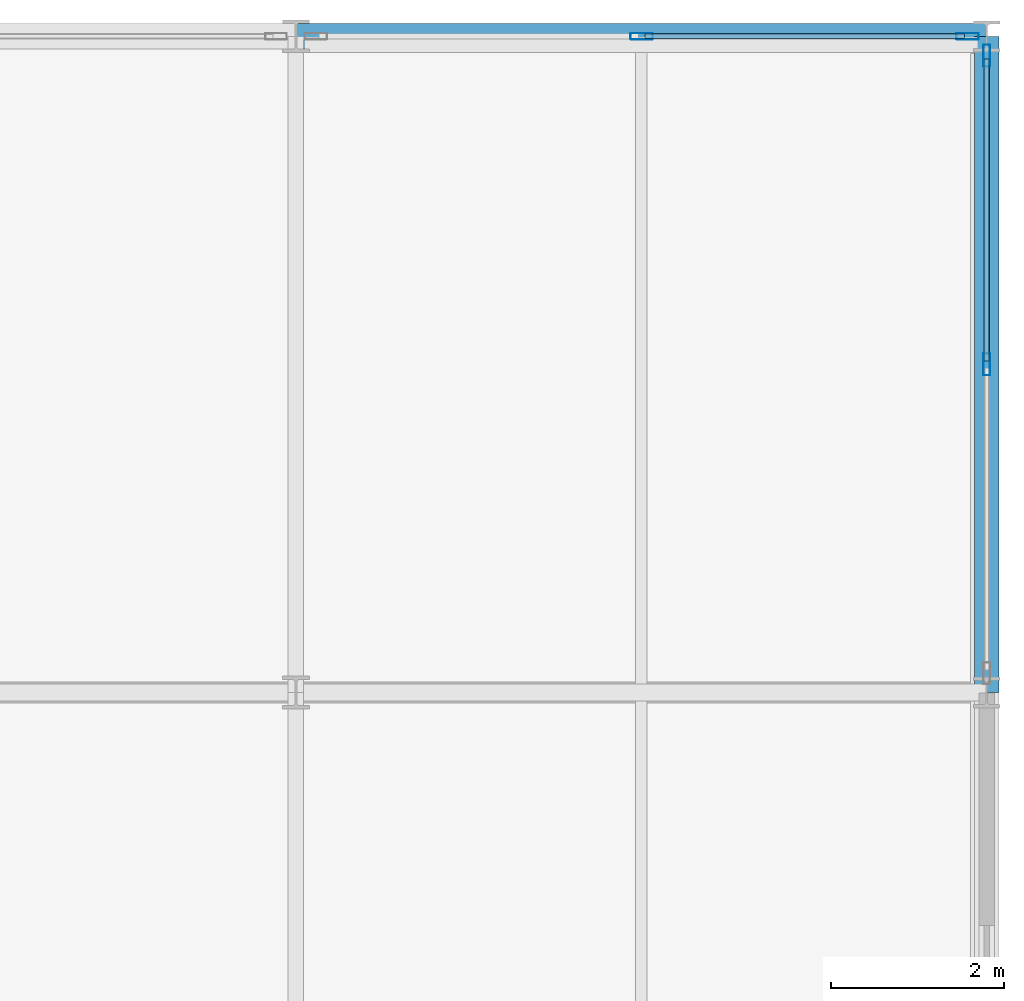
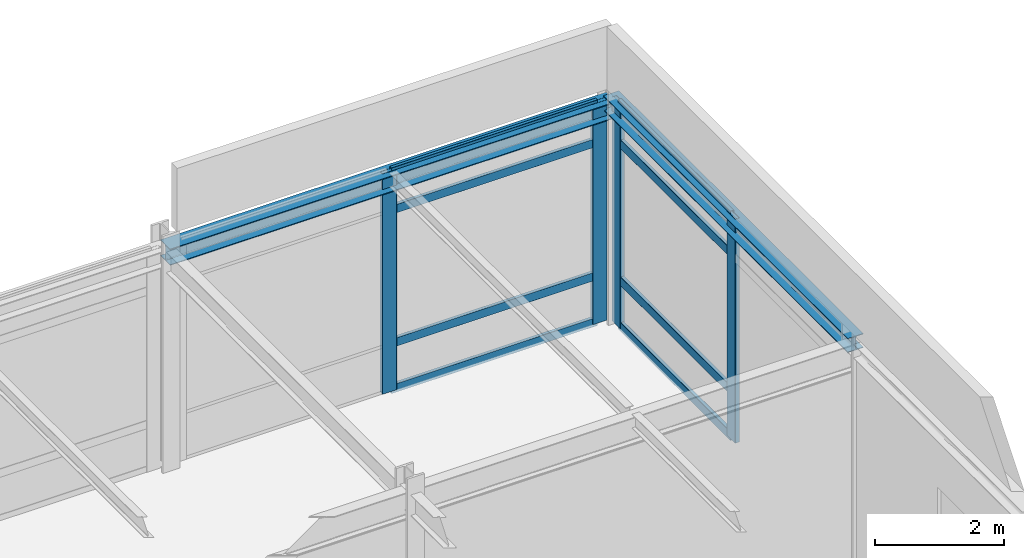
# One storey, part 11 of 16: 12 members, 2 beams, 2 elements without a shape of their own.
"""IFC4 building model written with IfcOpenShell, lengths in metres."""

from ifc_helpers import new_model, si_unit, direction, frame, origin, origin_2d, place, context, subcontext, project, spatial, hollow_rectangle, i_section, extrude, material, layer, layer_set, material_profile, profile_set, type_object, element, aggregate, save


model = new_model("IFC4")

# Units and contexts
model_context = context("Model", 3, precision=1e-05, world=origin(), true_north=direction((0.0, 1.0)))
body_context = subcontext(model_context, "Body", "Model", "MODEL_VIEW")
ifc_project = project(units=[si_unit("LENGTHUNIT", "METRE"), si_unit("AREAUNIT", "SQUARE_METRE"), si_unit("VOLUMEUNIT", "CUBIC_METRE"), si_unit("PLANEANGLEUNIT", "RADIAN"), si_unit("MASSUNIT", "GRAM", prefix="KILO")], contexts=[model_context])

# Site, building, storey
site_placement = place(None, origin())
site = spatial("IfcSite", under=ifc_project, at=site_placement, CompositionType="ELEMENT")
building_placement = place(site_placement, origin())
building = spatial("IfcBuilding", under=site, at=building_placement, Name="Shalkamar Park Central Library", CompositionType="ELEMENT")
storey_placement = place(building_placement, frame((0.0, 0.0, 51.60009765625)))
storey = spatial("IfcBuildingStorey", under=building, at=storey_placement, Name="L13", CompositionType="ELEMENT", Elevation=51.60009765625)

# Curtain wall, members
ifc_material_1 = material(Name="Thermally broken aluminium and triple low-e curtain wall", Category="aluminium")
ifc_layer_1 = layer(ifc_material_1, 0.260009765625)
ifc_layer_set_1 = layer_set([ifc_layer_1], Name="UnitisedCurtainWall_89")
curtain_wall_type_1 = type_object("IfcCurtainWallType", Name="Unitised Curtain Wall 89", PredefinedType="USERDEFINED", material=ifc_layer_set_1)
curtain_wall_1_placement = place(storey_placement, origin())
curtain_wall_1 = element("IfcCurtainWall", 1, at=curtain_wall_1_placement, inside=storey, type_object=curtain_wall_type_1, Name="Unitised Curtain Wall CW-L13-148", ObjectType="UNITISED CURTAIN WALL", PredefinedType="USERDEFINED")
ifc_material_2 = material(Name="Aluminium 6060-T66", Category="aluminium")
ifc_material_profile_1 = material_profile(ifc_material_2, hollow_rectangle(XDim=0.074951171875, YDim=0.260009765625, WallThickness=0.00439453125, InnerFilletRadius=0.00439453125, OuterFilletRadius=0.0068359375, at=origin_2d()), Name="ALU 75x260x4.5")
ifc_profile_set_1 = profile_set([ifc_material_profile_1], Name="Aluminium 6060-T66")
member_type_1 = type_object("IfcMemberType", Name="Curtain Wall Mullion ALU75x260", PredefinedType="MULLION", material=ifc_profile_set_1)
member_1_placement = place(storey_placement, frame((217.00439453125, 285.60009765625, 0.0), z_axis=(0.0, 0.0, 1.0), x_axis=(0.0, 1.0, 0.0)))
member_1 = element("IfcMember", 2, at=member_1_placement, type_object=member_type_1, Name="CW-89 mullion 2", PredefinedType="MULLION", context=body_context, shape_type="SweptSolid", body=[
    extrude(hollow_rectangle(XDim=0.074951171875, YDim=0.260009765625, WallThickness=0.00439453125, InnerFilletRadius=0.00439453125, OuterFilletRadius=0.0068359375, at=origin_2d()), origin(), (0.0, 0.0, 1.0), 4.179931640625),
])
member_2_placement = place(storey_placement, frame((220.779052734375, 285.60009765625, 0.0), z_axis=(0.0, 0.0, 1.0), x_axis=(0.0, 1.0, 0.0)))
member_2 = element("IfcMember", 3, at=member_2_placement, type_object=member_type_1, Name="CW-89 mullion 3", PredefinedType="MULLION", context=body_context, shape_type="SweptSolid", body=[
    extrude(hollow_rectangle(XDim=0.074951171875, YDim=0.260009765625, WallThickness=0.00439453125, InnerFilletRadius=0.00439453125, OuterFilletRadius=0.0068359375, at=origin_2d()), origin(), (0.0, 0.0, 1.0), 4.179931640625),
])

ifc_layer_2 = layer(ifc_material_1, 0.2548828125)
ifc_layer_set_2 = layer_set([ifc_layer_2], Name="UnitisedCurtainWall_96")
curtain_wall_type_2 = type_object("IfcCurtainWallType", Name="Unitised Curtain Wall 96", PredefinedType="USERDEFINED", material=ifc_layer_set_2)
curtain_wall_2_placement = place(storey_placement, origin())
curtain_wall_2 = element("IfcCurtainWall", 4, at=curtain_wall_2_placement, inside=storey, type_object=curtain_wall_type_2, Name="Unitised Curtain Wall CW-L13-150", ObjectType="UNITISED CURTAIN WALL", PredefinedType="USERDEFINED")
ifc_material_profile_2 = material_profile(ifc_material_2, hollow_rectangle(XDim=0.080078125, YDim=0.2548828125, WallThickness=0.00439453125, InnerFilletRadius=0.00439453125, OuterFilletRadius=0.0068359375, at=origin_2d()), Name="ALU 80x255x4.5")
ifc_profile_set_2 = profile_set([ifc_material_profile_2], Name="Aluminium 6060-T66")
member_type_2 = type_object("IfcMemberType", Name="Curtain Wall Mullion ALU80x255", PredefinedType="MULLION", material=ifc_profile_set_2)
member_3_placement = place(storey_placement, frame((221.0, 281.800048828125, 0.0), z_axis=(0.0, 0.0, 1.0), x_axis=(-1.0, 0.0, 0.0)))
member_3 = element("IfcMember", 5, at=member_3_placement, type_object=member_type_2, Name="CW-96 mullion 2", PredefinedType="MULLION", context=body_context, shape_type="SweptSolid", body=[
    extrude(hollow_rectangle(XDim=0.080078125, YDim=0.2548828125, WallThickness=0.00439453125, InnerFilletRadius=0.00439453125, OuterFilletRadius=0.0068359375, at=origin_2d()), origin(), (0.0, 0.0, 1.0), 4.25),
])
member_4_placement = place(storey_placement, frame((221.0, 285.37646484375, 0.0), z_axis=(0.0, 0.0, 1.0), x_axis=(-1.0, 0.0, 0.0)))
member_4 = element("IfcMember", 6, at=member_4_placement, type_object=member_type_2, Name="CW-96 mullion 3", PredefinedType="MULLION", context=body_context, shape_type="SweptSolid", body=[
    extrude(hollow_rectangle(XDim=0.080078125, YDim=0.2548828125, WallThickness=0.00439453125, InnerFilletRadius=0.00439453125, OuterFilletRadius=0.0068359375, at=origin_2d()), origin(), (0.0, 0.0, 1.0), 4.25),
])

# Member
ifc_material_profile_3 = material_profile(ifc_material_2, hollow_rectangle(XDim=0.06005859375, YDim=0.1650390625, WallThickness=0.00390625, InnerFilletRadius=0.00390625, OuterFilletRadius=0.006103515625, at=origin_2d()), Name="ALU 60x165x4")
ifc_profile_set_3 = profile_set([ifc_material_profile_3], Name="Aluminium 6060-T66")
member_type_3 = type_object("IfcMemberType", Name="Curtain Wall Transom ALU60x165", PredefinedType="USERDEFINED", material=ifc_profile_set_3)
member_5_placement = place(storey_placement, frame((217.0419921875, 285.60009765625, 0.02978515625), z_axis=(1.0, 0.0, 0.0), x_axis=(0.0, 1.0, 0.0)))
member_5 = element("IfcMember", 7, at=member_5_placement, type_object=member_type_3, Name="CW-89 transom 2.1", ObjectType="TRANSOM", PredefinedType="USERDEFINED", context=body_context, shape_type="SweptSolid", body=[
    extrude(hollow_rectangle(XDim=0.06005859375, YDim=0.1650390625, WallThickness=0.00390625, InnerFilletRadius=0.00390625, OuterFilletRadius=0.006103515625, at=origin_2d()), origin(), (0.0, 0.0, 1.0), 3.699462890625),
])

member_6_placement = place(storey_placement, frame((217.0419921875, 285.60009765625, 0.89990234375), z_axis=(1.0, 0.0, 0.0), x_axis=(0.0, 1.0, 0.0)))
member_6 = element("IfcMember", 8, at=member_6_placement, type_object=member_type_3, Name="CW-89 transom 2.2", ObjectType="TRANSOM", PredefinedType="USERDEFINED", context=body_context, shape_type="SweptSolid", body=[
    extrude(hollow_rectangle(XDim=0.06005859375, YDim=0.1650390625, WallThickness=0.00390625, InnerFilletRadius=0.00390625, OuterFilletRadius=0.006103515625, at=origin_2d()), origin(), (0.0, 0.0, 1.0), 3.699462890625),
])

member_7_placement = place(storey_placement, frame((217.0419921875, 285.60009765625, 3.429931640625), z_axis=(1.0, 0.0, 0.0), x_axis=(0.0, 1.0, 0.0)))
member_7 = element("IfcMember", 9, at=member_7_placement, type_object=member_type_3, Name="CW-89 transom 2.3", ObjectType="TRANSOM", PredefinedType="USERDEFINED", context=body_context, shape_type="SweptSolid", body=[
    extrude(hollow_rectangle(XDim=0.06005859375, YDim=0.1650390625, WallThickness=0.00390625, InnerFilletRadius=0.00390625, OuterFilletRadius=0.006103515625, at=origin_2d()), origin(), (0.0, 0.0, 1.0), 3.699462890625),
])

member_8_placement = place(storey_placement, frame((217.0419921875, 285.60009765625, 4.14990234375), z_axis=(1.0, 0.0, 0.0), x_axis=(0.0, 1.0, 0.0)))
member_8 = element("IfcMember", 10, at=member_8_placement, type_object=member_type_3, Name="CW-89 transom 2.4", ObjectType="TRANSOM", PredefinedType="USERDEFINED", context=body_context, shape_type="SweptSolid", body=[
    extrude(hollow_rectangle(XDim=0.06005859375, YDim=0.1650390625, WallThickness=0.00390625, InnerFilletRadius=0.00390625, OuterFilletRadius=0.006103515625, at=origin_2d()), origin(), (0.0, 0.0, 1.0), 3.699462890625),
])

aggregate(curtain_wall_1, [member_1, member_2, member_5, member_6, member_7, member_8])

ifc_material_profile_4 = material_profile(ifc_material_2, hollow_rectangle(XDim=0.06494140625, YDim=0.169921875, WallThickness=0.00390625, InnerFilletRadius=0.00390625, OuterFilletRadius=0.006103515625, at=origin_2d()), Name="ALU 65x170x4")
ifc_profile_set_4 = profile_set([ifc_material_profile_4], Name="Aluminium 6060-T66")
member_type_4 = type_object("IfcMemberType", Name="Curtain Wall Transom ALU65x170", PredefinedType="USERDEFINED", material=ifc_profile_set_4)
member_9_placement = place(storey_placement, frame((221.0, 281.840087890625, 0.032470703125), z_axis=(0.0, 1.0, 0.0), x_axis=(-1.0, 0.0, 0.0)))
member_9 = element("IfcMember", 11, at=member_9_placement, type_object=member_type_4, Name="CW-96 transom 2.1", ObjectType="TRANSOM", PredefinedType="USERDEFINED", context=body_context, shape_type="SweptSolid", body=[
    extrude(hollow_rectangle(XDim=0.06494140625, YDim=0.169921875, WallThickness=0.00390625, InnerFilletRadius=0.00390625, OuterFilletRadius=0.006103515625, at=origin_2d()), origin(), (0.0, 0.0, 1.0), 3.496337890625),
])

member_10_placement = place(storey_placement, frame((221.0, 281.840087890625, 0.89990234375), z_axis=(0.0, 1.0, 0.0), x_axis=(-1.0, 0.0, 0.0)))
member_10 = element("IfcMember", 12, at=member_10_placement, type_object=member_type_4, Name="CW-96 transom 2.2", ObjectType="TRANSOM", PredefinedType="USERDEFINED", context=body_context, shape_type="SweptSolid", body=[
    extrude(hollow_rectangle(XDim=0.06494140625, YDim=0.169921875, WallThickness=0.00390625, InnerFilletRadius=0.00390625, OuterFilletRadius=0.006103515625, at=origin_2d()), origin(), (0.0, 0.0, 1.0), 3.496337890625),
])

member_11_placement = place(storey_placement, frame((221.0, 281.840087890625, 3.5), z_axis=(0.0, 1.0, 0.0), x_axis=(-1.0, 0.0, 0.0)))
member_11 = element("IfcMember", 13, at=member_11_placement, type_object=member_type_4, Name="CW-96 transom 2.3", ObjectType="TRANSOM", PredefinedType="USERDEFINED", context=body_context, shape_type="SweptSolid", body=[
    extrude(hollow_rectangle(XDim=0.06494140625, YDim=0.169921875, WallThickness=0.00390625, InnerFilletRadius=0.00390625, OuterFilletRadius=0.006103515625, at=origin_2d()), origin(), (0.0, 0.0, 1.0), 3.496337890625),
])

member_12_placement = place(storey_placement, frame((221.0, 281.840087890625, 4.21728515625), z_axis=(0.0, 1.0, 0.0), x_axis=(-1.0, 0.0, 0.0)))
member_12 = element("IfcMember", 14, at=member_12_placement, type_object=member_type_4, Name="CW-96 transom 2.4", ObjectType="TRANSOM", PredefinedType="USERDEFINED", context=body_context, shape_type="SweptSolid", body=[
    extrude(hollow_rectangle(XDim=0.06494140625, YDim=0.169921875, WallThickness=0.00390625, InnerFilletRadius=0.00390625, OuterFilletRadius=0.006103515625, at=origin_2d()), origin(), (0.0, 0.0, 1.0), 3.496337890625),
])

aggregate(curtain_wall_2, [member_3, member_4, member_9, member_10, member_11, member_12])

# Beams
ifc_material_3 = material(Name="Steel S355", Category="steel")
ifc_material_profile_5 = material_profile(ifc_material_3, i_section(OverallWidth=0.280029296875, OverallDepth=0.27001953125, WebThickness=0.008056640625, FlangeThickness=0.012939453125, FilletRadius=0.02392578125, at=origin_2d()), Name="HEA 280")
ifc_profile_set_5 = profile_set([ifc_material_profile_5], Name="Steel S355")
beam_type_1 = type_object("IfcBeamType", Name="Perimeter Spandrel Beam HEA280", PredefinedType="SPANDREL", material=ifc_profile_set_5)
beam_1_placement = place(storey_placement, frame((221.0, 278.0, 4.114990234375), z_axis=(0.0, 1.0, 0.0), x_axis=(-1.0, 0.0, 0.0)))
element("IfcBeam", 15, at=beam_1_placement, inside=storey, type_object=beam_type_1, Name="Beam 14:F-G (L13)", PredefinedType="SPANDREL", context=body_context, shape_type="SweptSolid", body=[
    extrude(i_section(OverallWidth=0.280029296875, OverallDepth=0.27001953125, WebThickness=0.008056640625, FlangeThickness=0.012939453125, FilletRadius=0.02392578125, at=origin_2d()), origin(), (0.0, 0.0, 1.0), 7.60009765625),
])
ifc_material_profile_6 = material_profile(ifc_material_3, i_section(OverallWidth=0.300048828125, OverallDepth=0.31005859375, WebThickness=0.009033203125, FlangeThickness=0.015380859375, FilletRadius=0.027099609375, at=origin_2d()), Name="HEA 320")
ifc_profile_set_6 = profile_set([ifc_material_profile_6], Name="Steel S355")
beam_type_2 = type_object("IfcBeamType", Name="Perimeter Spandrel Beam HEA320", PredefinedType="SPANDREL", material=ifc_profile_set_6)
beam_2_placement = place(storey_placement, frame((213.0, 285.60009765625, 4.02490234375), z_axis=(1.0, 0.0, 0.0), x_axis=(0.0, 1.0, 0.0)))
element("IfcBeam", 16, at=beam_2_placement, inside=storey, type_object=beam_type_2, Name="Beam G:13-14 (L13)", PredefinedType="SPANDREL", context=body_context, shape_type="SweptSolid", body=[
    extrude(i_section(OverallWidth=0.300048828125, OverallDepth=0.31005859375, WebThickness=0.009033203125, FlangeThickness=0.015380859375, FilletRadius=0.027099609375, at=origin_2d()), origin(), (0.0, 0.0, 1.0), 8.0),
])

save(model, "model.ifc")
